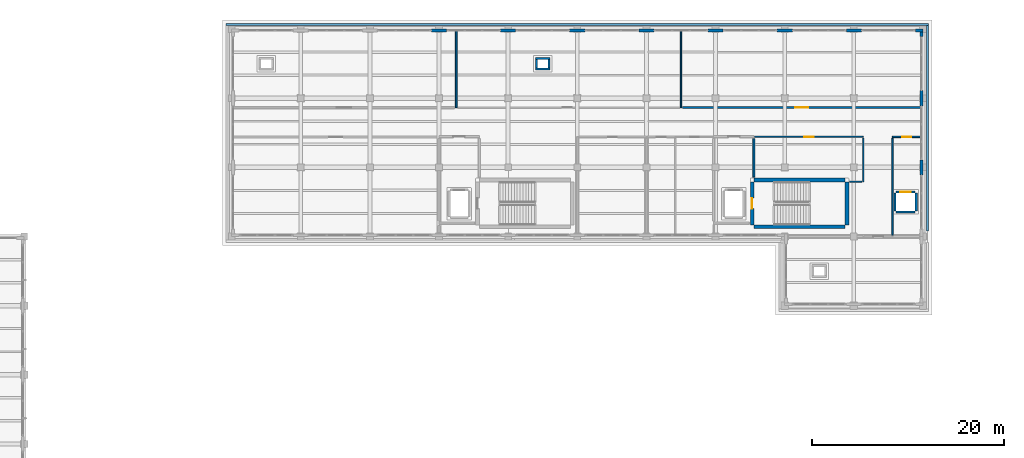
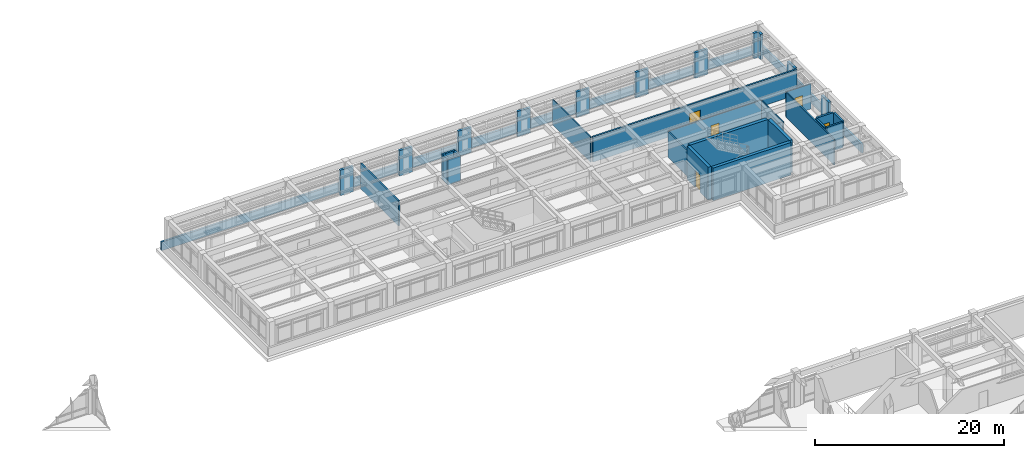
# One storey, part 51 of 64: 34 walls, 5 doors, 5 openings.
"""IFC4 building model written with IfcOpenShell, lengths in metres."""

from ifc_helpers import new_model, si_unit, direction, frame, frame_2d, origin, place, context, subcontext, project, spatial, rectangle, extrude, material, layer, layer_set, type_object, element, fill, save


model = new_model("IFC4")

# Units and contexts
model_context = context("Model", 3, precision=1e-05, world=origin(), true_north=direction((0.0, 1.0)))
body_context = subcontext(model_context, "Body", "Model", "MODEL_VIEW")
ifc_project = project(units=[si_unit("LENGTHUNIT", "METRE"), si_unit("AREAUNIT", "SQUARE_METRE"), si_unit("VOLUMEUNIT", "CUBIC_METRE"), si_unit("PLANEANGLEUNIT", "RADIAN"), si_unit("MASSUNIT", "GRAM", prefix="KILO")], contexts=[model_context])

# Site, building, storey
site_placement = place(None, origin())
site = spatial("IfcSite", under=ifc_project, at=site_placement, CompositionType="ELEMENT")
building_placement = place(site_placement, origin())
building = spatial("IfcBuilding", under=site, at=building_placement, Name="Solenvale Faculty of Natural Sciences", CompositionType="ELEMENT")
storey_placement = place(building_placement, frame((0.0, 0.0, 18.0)))
storey = spatial("IfcBuildingStorey", under=building, at=storey_placement, Name="L04", CompositionType="ELEMENT", Elevation=18.0)

# Walls
ifc_material_1 = material(Name="Precast concrete 40 MPa", Category="concrete")
ifc_layer_1 = layer(ifc_material_1, 0.284912109375)
ifc_layer_set_1 = layer_set([ifc_layer_1], Name="Precast concrete 40 MPa")
wall_type_1 = type_object("IfcWallType", Name="WL-EXT-PRC-285", PredefinedType="STANDARD", material=ifc_layer_set_1)
wall_1_placement = place(storey_placement, frame((151.0576171875, 100.011962890625, 0.0), z_axis=(0.0, 0.0, 1.0), x_axis=(0.0, 1.0, 0.0)))
element("IfcWall", 1, at=wall_1_placement, inside=storey, type_object=wall_type_1, Name="L04 Facade Closure Pier 3.B1-R", PredefinedType="STANDARD", context=body_context, shape_type="SweptSolid", body=[
    extrude(rectangle(XDim=1.575927734375, YDim=0.284912109375, at=frame_2d((0.7880859375, 0.0))), origin(), (0.0, 0.0, 1.0), 3.260009765625),
])
wall_2_placement = place(storey_placement, frame((151.0576171875, 107.2119140625, 0.0), z_axis=(0.0, 0.0, 1.0), x_axis=(0.0, 1.0, 0.0)))
element("IfcWall", 2, at=wall_2_placement, inside=storey, type_object=wall_type_1, Name="L04 Facade Closure Pier 3.B2-R", PredefinedType="STANDARD", context=body_context, shape_type="SweptSolid", body=[
    extrude(rectangle(XDim=1.576171875, YDim=0.284912109375, at=frame_2d((0.7880859375, 0.0))), origin(), (0.0, 0.0, 1.0), 3.260009765625),
])
wall_3_placement = place(storey_placement, frame((151.0576171875, 114.412109375, 0.0), z_axis=(0.0, 0.0, 1.0), x_axis=(0.0, 1.0, 0.0)))
element("IfcWall", 3, at=wall_3_placement, inside=storey, type_object=wall_type_1, Name="L04 Facade Closure Pier 3.B3-R", PredefinedType="STANDARD", context=body_context, shape_type="SweptSolid", body=[
    extrude(rectangle(XDim=0.5029296875, YDim=0.284912109375, at=frame_2d((0.25146484375, 0.0))), origin(), (0.0, 0.0, 1.0), 3.260009765625),
])
wall_4_placement = place(storey_placement, frame((151.199951171875, 115.0576171875, 0.0), z_axis=(0.0, 0.0, 1.0), x_axis=(-1.0, 0.0, 0.0)))
element("IfcWall", 4, at=wall_4_placement, inside=storey, type_object=wall_type_1, Name="L04 Facade Closure Pier 4.B1-L", PredefinedType="STANDARD", context=body_context, shape_type="SweptSolid", body=[
    extrude(rectangle(XDim=0.787841796875, YDim=0.284912109375, at=frame_2d((0.39404296875, 0.0))), origin(), (0.0, 0.0, 1.0), 3.260009765625),
])
wall_5_placement = place(storey_placement, frame((144.7880859375, 115.0576171875, 0.0), z_axis=(0.0, 0.0, 1.0), x_axis=(-1.0, 0.0, 0.0)))
element("IfcWall", 5, at=wall_5_placement, inside=storey, type_object=wall_type_1, Name="L04 Facade Closure Pier 4.B1-R", PredefinedType="STANDARD", context=body_context, shape_type="SweptSolid", body=[
    extrude(rectangle(XDim=1.576171875, YDim=0.284912109375, at=frame_2d((0.7880859375, 0.0))), origin(), (0.0, 0.0, 1.0), 3.260009765625),
])
for number, where, z_axis, x_axis, name in (
    (6, (137.587890625, 115.0576171875, 0.0), (0.0, 0.0, 1.0), (-1.0, 0.0, 0.0), "L04 Facade Closure Pier 4.B2-R"),
    (7, (130.387939453125, 115.0576171875, 0.0), (0.0, 0.0, 1.0), (-1.0, 0.0, 0.0), "L04 Facade Closure Pier 4.B3-R"),
    (8, (123.18798828125, 115.0576171875, 0.0), (0.0, 0.0, 1.0), (-1.0, 0.0, 0.0), "L04 Facade Closure Pier 4.B4-R"),
    (9, (115.988037109375, 115.0576171875, 0.0), (0.0, 0.0, 1.0), (-1.0, 0.0, 0.0), "L04 Facade Closure Pier 4.B5-R"),
):
    element("IfcWall", number, at=place(storey_placement, frame(where, z_axis=z_axis, x_axis=x_axis)), inside=storey, type_object=wall_type_1, Name=name, PredefinedType="STANDARD", context=body_context, shape_type="SweptSolid", body=[
        extrude(rectangle(XDim=1.575927734375, YDim=0.284912109375, at=frame_2d((0.7880859375, 0.0))), origin(), (0.0, 0.0, 1.0), 3.260009765625),
    ])
wall_6_placement = place(storey_placement, frame((108.7880859375, 115.0576171875, 0.0), z_axis=(0.0, 0.0, 1.0), x_axis=(-1.0, 0.0, 0.0)))
element("IfcWall", 10, at=wall_6_placement, inside=storey, type_object=wall_type_1, Name="L04 Facade Closure Pier 4.B6-R", PredefinedType="STANDARD", context=body_context, shape_type="SweptSolid", body=[
    extrude(rectangle(XDim=1.576171875, YDim=0.284912109375, at=frame_2d((0.7880859375, 0.0))), origin(), (0.0, 0.0, 1.0), 3.260009765625),
])
wall_7_placement = place(storey_placement, frame((101.587890625, 115.0576171875, 0.0), z_axis=(0.0, 0.0, 1.0), x_axis=(-1.0, 0.0, 0.0)))
element("IfcWall", 11, at=wall_7_placement, inside=storey, type_object=wall_type_1, Name="L04 Facade Closure Pier 4.B7-R", PredefinedType="STANDARD", context=body_context, shape_type="SweptSolid", body=[
    extrude(rectangle(XDim=1.575927734375, YDim=0.284912109375, at=frame_2d((0.7880859375, 0.0))), origin(), (0.0, 0.0, 1.0), 3.260009765625),
])
ifc_material_2 = material(Name="Gypsum fire-rated shaftwall")
ifc_layer_2 = layer(ifc_material_2, 0.205078125)
ifc_layer_set_2 = layer_set([ifc_layer_2], Name="Gypsum fire-rated shaftwall")
wall_type_2 = type_object("IfcWallType", Name="WL-FFL-205", PredefinedType="PARTITIONING", material=ifc_layer_set_2)
wall_8_placement = place(storey_placement, frame((133.60009765625, 103.782958984375, 0.0), z_axis=(0.0, 0.0, 1.0), x_axis=(0.0, -1.0, 0.0)))
element("IfcWall", 12, at=wall_8_placement, inside=storey, type_object=wall_type_2, Name="L04 Firefighting Lobby C5 Partition 2", PredefinedType="PARTITIONING", context=body_context, shape_type="SweptSolid", body=[
    extrude(rectangle(XDim=3.989013671875, YDim=0.205078125, at=frame_2d((1.99462890625, 0.0))), origin(), (0.0, 0.0, 1.0), 3.260009765625),
])
ifc_material_3 = material(Name="Gypsum fire-rated laboratory partition")
ifc_layer_3 = layer(ifc_material_3, 0.18505859375)
ifc_layer_set_3 = layer_set([ifc_layer_3], Name="Gypsum fire-rated laboratory partition")
wall_type_3 = type_object("IfcWallType", Name="WL-LAB-185", PredefinedType="PARTITIONING", material=ifc_layer_set_3)
wall_9_placement = place(storey_placement, frame((102.60009765625, 115.01708984375, 0.0), z_axis=(0.0, 0.0, 1.0), x_axis=(0.0, -1.0, 0.0)))
element("IfcWall", 13, at=wall_9_placement, inside=storey, type_object=wall_type_3, Name="L04 Environmental Genomics Laboratory Partition 3", PredefinedType="PARTITIONING", context=body_context, shape_type="SweptSolid", body=[
    extrude(rectangle(XDim=7.9970703125, YDim=0.18505859375, at=frame_2d((3.99853515625, 0.0))), origin(), (0.0, 0.0, 1.0), 3.260009765625),
])

# Wall, opening, door
ifc_layer_4 = layer(ifc_material_3, 0.2119140625)
ifc_layer_set_4 = layer_set([ifc_layer_4], Name="Gypsum fire-rated laboratory partition")
wall_type_4 = type_object("IfcWallType", Name="WL-LAB-212", PredefinedType="PARTITIONING", material=ifc_layer_set_4)
wall_10_placement = place(storey_placement, frame((151.01806640625, 107.02001953125, 0.0), z_axis=(0.0, 0.0, 1.0), x_axis=(-1.0, 0.0, 0.0)))
wall_10 = element("IfcWall", 14, at=wall_10_placement, inside=storey, type_object=wall_type_4, Name="L04 Optics and Photonics Research Laboratory Partition 4", PredefinedType="PARTITIONING", context=body_context, shape_type="SweptSolid", body=[
    extrude(rectangle(XDim=24.838134765625, YDim=0.2119140625, at=frame_2d((12.4189453125, 0.0))), origin(), (0.0, 0.0, 1.0), 3.260009765625),
])
opening_1_placement = place(wall_10_placement, frame((11.743896484375, 0.0, 0.0)))
opening_1 = element("IfcOpeningElement", 15, at=opening_1_placement, cuts=wall_10, Name="Opening D-L04-15", PredefinedType="OPENING", context=body_context, shape_type="SweptSolid", body=[
    extrude(rectangle(XDim=1.35009765625, YDim=2.14990234375, at=frame_2d((0.675048828125, 1.074951171875))), frame((0.0, 0.115966796875, 0.0), z_axis=(0.0, -1.0, 0.0), x_axis=(1.0, 0.0, 0.0)), (0.0, 0.0, 1.0), 0.23193359375),
])
ifc_material_4 = material(Name="Oak acoustic timber leaf", Category="wood")
door_type_1 = type_object("IfcDoorType", Name="DR-LAB-1350x2150", OperationType="NOTDEFINED", PredefinedType="DOOR", material=ifc_material_4)
door_1_placement = place(opening_1_placement, origin())
door_1 = element("IfcDoor", 16, at=door_1_placement, inside=storey, type_object=door_type_1, Name="L04 Optics and Photonics Research Laboratory Door", OperationType="SINGLE_SWING_LEFT", OverallHeight=2.14990234375, OverallWidth=1.35009765625, PredefinedType="DOOR", context=body_context, shape_type="SweptSolid", body=[
    extrude(rectangle(XDim=1.35009765625, YDim=2.14990234375, at=frame_2d((0.675048828125, 1.074951171875))), frame((0.0, 0.02490234375, 0.0), z_axis=(0.0, -1.0, 0.0), x_axis=(1.0, 0.0, 0.0)), (0.0, 0.0, 1.0), 0.050048828125),
])
fill(opening_1, door_1)

# Wall
ifc_material_5 = material(Name="Acoustic stud gypsum partition")
ifc_layer_5 = layer(ifc_material_5, 0.125)
ifc_layer_set_5 = layer_set([ifc_layer_5], Name="Acoustic stud gypsum partition")
wall_type_5 = type_object("IfcWallType", Name="WL-OFF-125", PredefinedType="PARTITIONING", material=ifc_layer_set_5)
wall_11_placement = place(storey_placement, frame((126.0, 115.01708984375, 0.0), z_axis=(0.0, 0.0, 1.0), x_axis=(0.0, -1.0, 0.0)))
element("IfcWall", 17, at=wall_11_placement, inside=storey, type_object=wall_type_5, Name="L04 Faculty Staff Office Partition 3", PredefinedType="PARTITIONING", context=body_context, shape_type="SweptSolid", body=[
    extrude(rectangle(XDim=7.9970703125, YDim=0.125, at=frame_2d((3.99853515625, 0.0))), origin(), (0.0, 0.0, 1.0), 3.260009765625),
])

# Wall, opening, door
ifc_layer_6 = layer(ifc_material_5, 0.132080078125)
ifc_layer_set_6 = layer_set([ifc_layer_6], Name="Acoustic stud gypsum partition")
wall_type_6 = type_object("IfcWallType", Name="WL-OFF-132", PredefinedType="PARTITIONING", material=ifc_layer_set_6)
wall_12_placement = place(storey_placement, frame((133.677978515625, 103.97998046875, 0.0), z_axis=(0.0, 0.0, 1.0), x_axis=(1.0, 0.0, 0.0)))
wall_12 = element("IfcWall", 18, at=wall_12_placement, inside=storey, type_object=wall_type_6, Name="L04 Building Electrical and Telecom Closet Partition 18", PredefinedType="PARTITIONING", context=body_context, shape_type="SweptSolid", body=[
    extrude(rectangle(XDim=11.302001953125, YDim=0.132080078125, at=frame_2d((5.65087890625, 0.0))), origin(), (0.0, 0.0, 1.0), 3.260009765625),
])
opening_2_placement = place(wall_12_placement, frame((5.160888671875, 0.0, 0.0)))
opening_2 = element("IfcOpeningElement", 19, at=opening_2_placement, cuts=wall_12, Name="Opening D-L04-19", PredefinedType="OPENING", context=body_context, shape_type="SweptSolid", body=[
    extrude(rectangle(XDim=0.97998046875, YDim=2.10009765625, at=frame_2d((0.489990234375, 1.050048828125))), frame((0.0, 0.075927734375, 0.0), z_axis=(0.0, -1.0, 0.0), x_axis=(1.0, 0.0, 0.0)), (0.0, 0.0, 1.0), 0.152099609375),
])
door_type_2 = type_object("IfcDoorType", Name="DR-OFF-0980x2100", OperationType="NOTDEFINED", PredefinedType="DOOR", material=ifc_material_4)
door_2_placement = place(opening_2_placement, origin())
door_2 = element("IfcDoor", 20, at=door_2_placement, inside=storey, type_object=door_type_2, Name="L04 Building Electrical and Telecom Closet Door", OperationType="SINGLE_SWING_LEFT", OverallHeight=2.10009765625, OverallWidth=0.97998046875, PredefinedType="DOOR", context=body_context, shape_type="SweptSolid", body=[
    extrude(rectangle(XDim=0.97998046875, YDim=2.10009765625, at=frame_2d((0.489990234375, 1.050048828125))), frame((0.0, 0.02490234375, 0.0), z_axis=(0.0, -1.0, 0.0), x_axis=(1.0, 0.0, 0.0)), (0.0, 0.0, 1.0), 0.050048828125),
])
fill(opening_2, door_2)

# Walls
wall_13_placement = place(storey_placement, frame((144.97998046875, 103.8359375, 0.0), z_axis=(0.0, 0.0, 1.0), x_axis=(0.0, -1.0, 0.0)))
element("IfcWall", 21, at=wall_13_placement, inside=storey, type_object=wall_type_6, Name="L04 Building Electrical and Telecom Closet Partition 19", PredefinedType="PARTITIONING", context=body_context, shape_type="SweptSolid", body=[
    extrude(rectangle(XDim=4.535888671875, YDim=0.132080078125, at=frame_2d((2.26806640625, 0.0))), origin(), (0.0, 0.0, 1.0), 3.260009765625),
])
wall_14_placement = place(storey_placement, frame((144.8359375, 99.300048828125, 0.0), z_axis=(0.0, 0.0, 1.0), x_axis=(-1.0, 0.0, 0.0)))
element("IfcWall", 22, at=wall_14_placement, inside=storey, type_object=wall_type_6, Name="L04 Building Electrical and Telecom Closet Partition 20", PredefinedType="PARTITIONING", context=body_context, shape_type="SweptSolid", body=[
    extrude(rectangle(XDim=1.27783203125, YDim=0.132080078125, at=frame_2d((0.638916015625, 0.0))), origin(), (0.0, 0.0, 1.0), 3.260009765625),
])

# Wall, opening, door
ifc_layer_7 = layer(ifc_material_5, 0.14794921875)
ifc_layer_set_7 = layer_set([ifc_layer_7], Name="Acoustic stud gypsum partition")
wall_type_7 = type_object("IfcWallType", Name="WL-OFF-148", PredefinedType="PARTITIONING", material=ifc_layer_set_7)
wall_15_placement = place(storey_placement, frame((148.02001953125, 103.97998046875, 0.0), z_axis=(0.0, 0.0, 1.0), x_axis=(1.0, 0.0, 0.0)))
wall_15 = element("IfcWall", 23, at=wall_15_placement, inside=storey, type_object=wall_type_7, Name="L04 Elevator Lobby Partition 1", PredefinedType="PARTITIONING", context=body_context, shape_type="SweptSolid", body=[
    extrude(rectangle(XDim=2.998046875, YDim=0.14794921875, at=frame_2d((1.4990234375, 0.0))), origin(), (0.0, 0.0, 1.0), 3.260009765625),
])
opening_3_placement = place(wall_15_placement, frame((1.029052734375, 0.0, 0.0)))
opening_3 = element("IfcOpeningElement", 24, at=opening_3_placement, cuts=wall_15, Name="Opening D-L04-20", PredefinedType="OPENING", context=body_context, shape_type="SweptSolid", body=[
    extrude(rectangle(XDim=0.93994140625, YDim=2.10009765625, at=frame_2d((0.469970703125, 1.050048828125))), frame((0.0, 0.083984375, 0.0), z_axis=(0.0, -1.0, 0.0), x_axis=(1.0, 0.0, 0.0)), (0.0, 0.0, 1.0), 0.16796875),
])
door_type_3 = type_object("IfcDoorType", Name="DR-OFF-0940x2100", OperationType="NOTDEFINED", PredefinedType="DOOR", material=ifc_material_4)
door_3_placement = place(opening_3_placement, origin())
door_3 = element("IfcDoor", 25, at=door_3_placement, inside=storey, type_object=door_type_3, Name="L04 Elevator Lobby Door", OperationType="SINGLE_SWING_RIGHT", OverallHeight=2.10009765625, OverallWidth=0.93994140625, PredefinedType="DOOR", context=body_context, shape_type="SweptSolid", body=[
    extrude(rectangle(XDim=0.93994140625, YDim=2.10009765625, at=frame_2d((0.469970703125, 1.050048828125))), frame((0.0, 0.02490234375, 0.0), z_axis=(0.0, -1.0, 0.0), x_axis=(1.0, 0.0, 0.0)), (0.0, 0.0, 1.0), 0.050048828125),
])
fill(opening_3, door_3)

# Walls
wall_16_placement = place(storey_placement, frame((148.02001953125, 93.74609375, 0.0), z_axis=(0.0, 0.0, 1.0), x_axis=(0.0, 1.0, 0.0)))
element("IfcWall", 26, at=wall_16_placement, inside=storey, type_object=wall_type_7, Name="L04 Elevator Lobby Partition 4", PredefinedType="PARTITIONING", context=body_context, shape_type="SweptSolid", body=[
    extrude(rectangle(XDim=10.073974609375, YDim=0.14794921875, at=frame_2d((5.037109375, 0.0))), origin(), (0.0, 0.0, 1.0), 3.260009765625),
])
ifc_material_6 = material(Name="Architectural bronze concrete 40 MPa", Category="concrete")
ifc_layer_8 = layer(ifc_material_6, 0.239990234375)
ifc_layer_set_8 = layer_set([ifc_layer_8], Name="Architectural bronze concrete 40 MPa")
wall_type_8 = type_object("IfcWallType", Name="WL-PAR-BRZ-240", PredefinedType="PARAPET", material=ifc_layer_set_8)
wall_17_placement = place(storey_placement, frame((78.60009765625, 115.679931640625, 0.0), z_axis=(0.0, 0.0, 1.0), x_axis=(1.0, 0.0, 0.0)))
element("IfcWall", 27, at=wall_17_placement, inside=storey, type_object=wall_type_8, Name="L04 Tower Horizontal Concrete Band 8", PredefinedType="PARAPET", context=body_context, shape_type="SweptSolid", body=[
    extrude(rectangle(XDim=73.199951171875, YDim=0.239990234375, at=frame_2d((36.60009765625, 0.0))), origin(), (0.0, 0.0, 1.0), 1.1201171875),
])
wall_18_placement = place(storey_placement, frame((151.679931640625, 115.56005859375, 0.0), z_axis=(0.0, 0.0, 1.0), x_axis=(0.0, -1.0, 0.0)))
element("IfcWall", 28, at=wall_18_placement, inside=storey, type_object=wall_type_8, Name="L04 Tower Horizontal Concrete Band 9", PredefinedType="PARAPET", context=body_context, shape_type="SweptSolid", body=[
    extrude(rectangle(XDim=21.360107421875, YDim=0.239990234375, at=frame_2d((10.68017578125, 0.0))), origin(), (0.0, 0.0, 1.0), 1.1201171875),
])
ifc_material_7 = material(Name="Concrete 40 MPa", Category="concrete")
ifc_layer_9 = layer(ifc_material_7, 0.219970703125)
ifc_layer_set_9 = layer_set([ifc_layer_9], Name="Concrete 40 MPa")
wall_type_9 = type_object("IfcWallType", Name="WL-SHF-220", PredefinedType="STANDARD", material=ifc_layer_set_9)
wall_19_placement = place(storey_placement, frame((148.405029296875, 96.169921875, 0.0), z_axis=(0.0, 0.0, 1.0), x_axis=(1.0, 0.0, 0.0)))
element("IfcWall", 29, at=wall_19_placement, inside=storey, type_object=wall_type_9, Name="Elevator LP-03 L04 Shaft Wall S", PredefinedType="STANDARD", context=body_context, shape_type="SweptSolid", body=[
    extrude(rectangle(XDim=1.989990234375, YDim=0.219970703125, at=frame_2d((0.9951171875, 0.0))), origin(), (0.0, 0.0, 1.0), 3.260009765625),
])

# Wall, opening, door
wall_20_placement = place(storey_placement, frame((148.405029296875, 98.22998046875, 0.0), z_axis=(0.0, 0.0, 1.0), x_axis=(1.0, 0.0, 0.0)))
wall_20 = element("IfcWall", 30, at=wall_20_placement, inside=storey, type_object=wall_type_9, Name="Elevator LP-03 L04 Shaft Wall N", PredefinedType="STANDARD", context=body_context, shape_type="SweptSolid", body=[
    extrude(rectangle(XDim=1.989990234375, YDim=0.219970703125, at=frame_2d((0.9951171875, 0.0))), origin(), (0.0, 0.0, 1.0), 3.260009765625),
])
opening_4_placement = place(wall_20_placement, frame((0.445068359375, 0.0, 0.0)))
opening_4 = element("IfcOpeningElement", 31, at=opening_4_placement, cuts=wall_20, Name="Opening LD-LP-03-L04", PredefinedType="OPENING", context=body_context, shape_type="SweptSolid", body=[
    extrude(rectangle(XDim=1.10009765625, YDim=2.14990234375, at=frame_2d((0.550048828125, 1.074951171875))), frame((0.0, 0.119873046875, 0.0), z_axis=(0.0, -1.0, 0.0), x_axis=(1.0, 0.0, 0.0)), (0.0, 0.0, 1.0), 0.239990234375),
])
ifc_material_8 = material(Name="Stainless steel Grade 304", Category="steel")
door_type_4 = type_object("IfcDoorType", Name="DR-LIFT-1100x2150", OperationType="NOTDEFINED", PredefinedType="DOOR", material=ifc_material_8)
door_4_placement = place(opening_4_placement, origin())
door_4 = element("IfcDoor", 32, at=door_4_placement, inside=storey, type_object=door_type_4, Name="Elevator LP-03 L04 Sliding Landing Door", OperationType="SLIDING_TO_LEFT", OverallHeight=2.14990234375, OverallWidth=1.10009765625, PredefinedType="DOOR", context=body_context, shape_type="SweptSolid", body=[
    extrude(rectangle(XDim=1.10009765625, YDim=2.14990234375, at=frame_2d((0.550048828125, 1.074951171875))), frame((0.0, 0.02490234375, 0.0), z_axis=(0.0, -1.0, 0.0), x_axis=(1.0, 0.0, 0.0)), (0.0, 0.0, 1.0), 0.050048828125),
])
fill(opening_4, door_4)

# Walls
for number, where, z_axis, x_axis, name in (
    (33, (148.294921875, 96.280029296875, 0.0), (0.0, 0.0, 1.0), (0.0, 1.0, 0.0), "Elevator LP-03 L04 Shaft Wall W"),
    (34, (150.5048828125, 96.280029296875, 0.0), (0.0, 0.0, 1.0), (0.0, 1.0, 0.0), "Elevator LP-03 L04 Shaft Wall E"),
):
    element("IfcWall", number, at=place(storey_placement, frame(where, z_axis=z_axis, x_axis=x_axis)), inside=storey, type_object=wall_type_9, Name=name, PredefinedType="STANDARD", context=body_context, shape_type="SweptSolid", body=[
        extrude(rectangle(XDim=1.840087890625, YDim=0.219970703125, at=frame_2d((0.919921875, 0.0))), origin(), (0.0, 0.0, 1.0), 3.260009765625),
    ])
for number, where, z_axis, x_axis, name in (
    (35, (110.830078125, 111.0400390625, 0.0), (0.0, 0.0, 1.0), (1.0, 0.0, 0.0), "L04 Service Riser Shaft 5 Wall S"),
    (36, (110.830078125, 112.159912109375, 0.0), (0.0, 0.0, 1.0), (1.0, 0.0, 0.0), "L04 Service Riser Shaft 5 Wall N"),
):
    element("IfcWall", number, at=place(storey_placement, frame(where, z_axis=z_axis, x_axis=x_axis)), inside=storey, type_object=wall_type_9, Name=name, PredefinedType="STANDARD", context=body_context, shape_type="SweptSolid", body=[
        extrude(rectangle(XDim=1.5400390625, YDim=0.219970703125, at=frame_2d((0.77001953125, 0.0))), origin(), (0.0, 0.0, 1.0), 3.260009765625),
    ])
for number, where, z_axis, x_axis, name in (
    (37, (110.93994140625, 111.14990234375, 0.0), (0.0, 0.0, 1.0), (0.0, 1.0, 0.0), "L04 Service Riser Shaft 5 Wall W"),
    (38, (112.260009765625, 111.14990234375, 0.0), (0.0, 0.0, 1.0), (0.0, 1.0, 0.0), "L04 Service Riser Shaft 5 Wall E"),
):
    element("IfcWall", number, at=place(storey_placement, frame(where, z_axis=z_axis, x_axis=x_axis)), inside=storey, type_object=wall_type_9, Name=name, PredefinedType="STANDARD", context=body_context, shape_type="SweptSolid", body=[
        extrude(rectangle(XDim=0.900146484375, YDim=0.219970703125, at=frame_2d((0.4501953125, 0.0))), origin(), (0.0, 0.0, 1.0), 3.260009765625),
    ])
ifc_material_9 = material(Name="Concrete 50 MPa", Category="concrete")
ifc_layer_10 = layer(ifc_material_9, 0.3798828125)
ifc_layer_set_10 = layer_set([ifc_layer_10], Name="Concrete 50 MPa")
wall_type_10 = type_object("IfcWallType", Name="WL-SHR-380", PredefinedType="SHEAR", material=ifc_layer_set_10)
for number, where, z_axis, x_axis, name in (
    (39, (133.60009765625, 94.610107421875, 0.0), (0.0, 0.0, 1.0), (1.0, 0.0, 0.0), "Core C5 L04 Shear Wall S"),
    (40, (133.60009765625, 99.489990234375, 0.0), (0.0, 0.0, 1.0), (1.0, 0.0, 0.0), "Core C5 L04 Shear Wall N"),
):
    element("IfcWall", number, at=place(storey_placement, frame(where, z_axis=z_axis, x_axis=x_axis)), inside=storey, type_object=wall_type_10, Name=name, PredefinedType="SHEAR", context=body_context, shape_type="SweptSolid", body=[
        extrude(rectangle(XDim=9.5, YDim=0.3798828125, at=frame_2d((4.75, 0.0))), origin(), (0.0, 0.0, 1.0), 4.219970703125),
    ])

# Wall, opening, door
wall_21_placement = place(storey_placement, frame((133.409912109375, 94.800048828125, 0.0), z_axis=(0.0, 0.0, 1.0), x_axis=(0.0, 1.0, 0.0)))
wall_21 = element("IfcWall", 41, at=wall_21_placement, inside=storey, type_object=wall_type_10, Name="Core C5 L04 Shear Wall W", PredefinedType="SHEAR", context=body_context, shape_type="SweptSolid", body=[
    extrude(rectangle(XDim=4.5, YDim=0.3798828125, at=frame_2d((2.25, 0.0))), origin(), (0.0, 0.0, 1.0), 4.219970703125),
])
opening_5_placement = place(wall_21_placement, frame((1.699951171875, 0.0, 0.0)))
opening_5 = element("IfcOpeningElement", 42, at=opening_5_placement, cuts=wall_21, Name="Opening DS-C5-L04", PredefinedType="OPENING", context=body_context, shape_type="SweptSolid", body=[
    extrude(rectangle(XDim=1.10009765625, YDim=2.14990234375, at=frame_2d((0.550048828125, 1.074951171875))), frame((0.0, 0.199951171875, 0.0), z_axis=(0.0, -1.0, 0.0), x_axis=(1.0, 0.0, 0.0)), (0.0, 0.0, 1.0), 0.39990234375),
])
ifc_material_10 = material(Name="Galvanised steel S355", Category="steel")
door_type_5 = type_object("IfcDoorType", Name="DR-STAIR-1100x2150", OperationType="NOTDEFINED", PredefinedType="DOOR", material=ifc_material_10)
door_5_placement = place(opening_5_placement, origin())
door_5 = element("IfcDoor", 43, at=door_5_placement, inside=storey, type_object=door_type_5, Name="L04 Stair ST-05 Fire Door", OperationType="SINGLE_SWING_LEFT", OverallHeight=2.14990234375, OverallWidth=1.10009765625, PredefinedType="DOOR", context=body_context, shape_type="SweptSolid", body=[
    extrude(rectangle(XDim=1.10009765625, YDim=2.14990234375, at=frame_2d((0.550048828125, 1.074951171875))), frame((0.0, 0.02490234375, 0.0), z_axis=(0.0, -1.0, 0.0), x_axis=(1.0, 0.0, 0.0)), (0.0, 0.0, 1.0), 0.050048828125),
])
fill(opening_5, door_5)

# Wall
wall_22_placement = place(storey_placement, frame((143.2900390625, 94.800048828125, 0.0), z_axis=(0.0, 0.0, 1.0), x_axis=(0.0, 1.0, 0.0)))
element("IfcWall", 44, at=wall_22_placement, inside=storey, type_object=wall_type_10, Name="Core C5 L04 Shear Wall E", PredefinedType="SHEAR", context=body_context, shape_type="SweptSolid", body=[
    extrude(rectangle(XDim=4.5, YDim=0.3798828125, at=frame_2d((2.25, 0.0))), origin(), (0.0, 0.0, 1.0), 4.219970703125),
])

save(model, "model.ifc")
